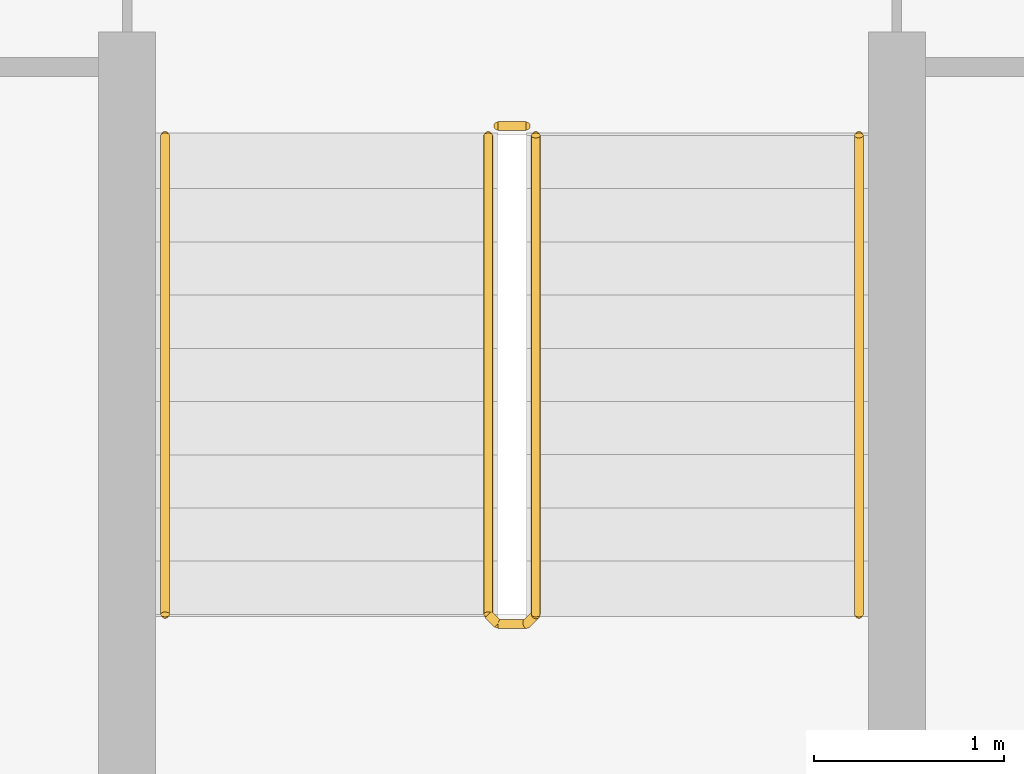
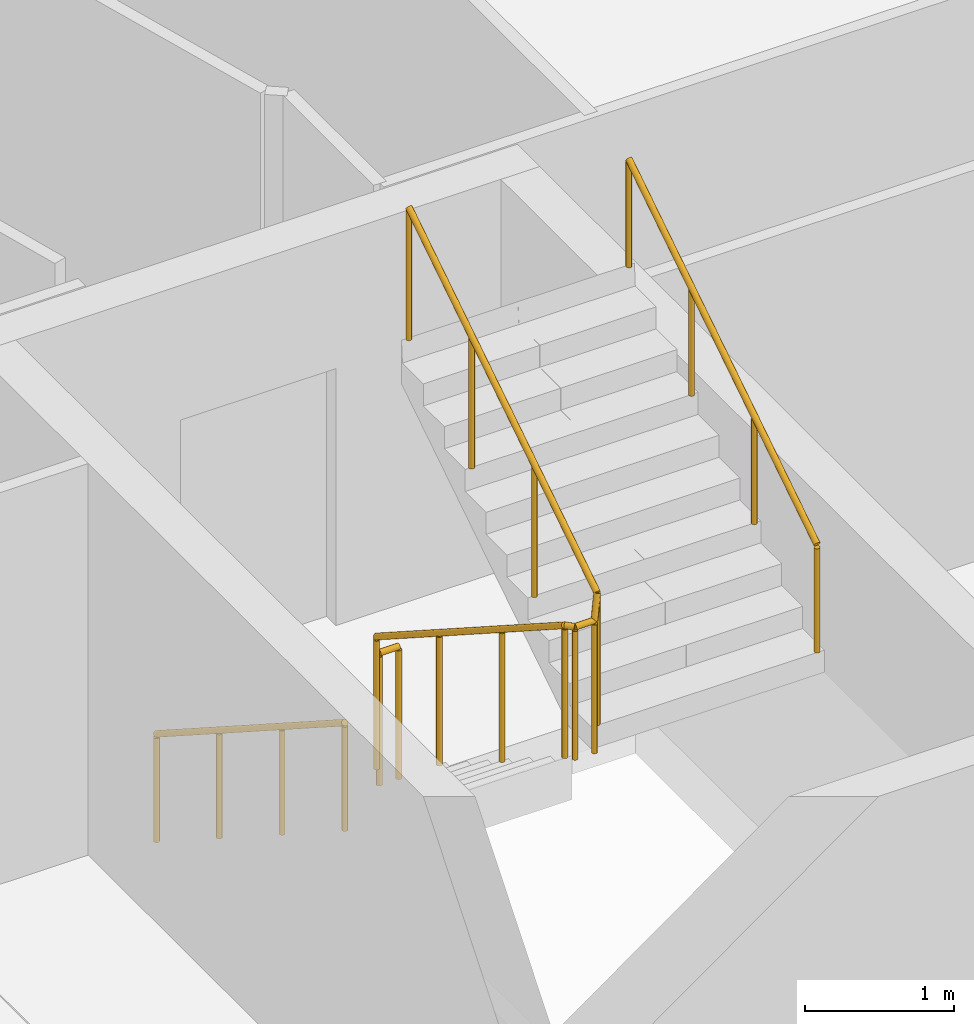
# One storey, part 26 of 28: 4 railings.
"""IFC4 building model written with IfcOpenShell, lengths in metres."""

from ifc_helpers import new_model, si_unit, direction, frame, origin, origin_2d, place, context, subcontext, project, spatial, circle, extrude, material, type_object, element, save


model = new_model("IFC4")

# Units and contexts
model_context = context("Model", 3, precision=1e-05, world=origin(), true_north=direction((0.0, 1.0)))
body_context = subcontext(model_context, "Body", "Model", "MODEL_VIEW")
ifc_project = project(units=[si_unit("LENGTHUNIT", "METRE"), si_unit("AREAUNIT", "SQUARE_METRE"), si_unit("VOLUMEUNIT", "CUBIC_METRE"), si_unit("PLANEANGLEUNIT", "RADIAN"), si_unit("MASSUNIT", "GRAM", prefix="KILO")], contexts=[model_context])

# Site, building, storey
site_placement = place(None, origin())
site = spatial("IfcSite", under=ifc_project, at=site_placement, CompositionType="ELEMENT")
building_placement = place(site_placement, origin())
building = spatial("IfcBuilding", under=site, at=building_placement, Name="Wharfspan Tower", CompositionType="ELEMENT")
storey_placement = place(building_placement, frame((0.0, 0.0, 52.300049)))
storey = spatial("IfcBuildingStorey", under=building, at=storey_placement, Name="L09", CompositionType="ELEMENT", Elevation=52.300049)

# Railings
ifc_material = material(Name="Steel S355J2", Category="steel")
railing_type_1 = type_object("IfcRailingType", Name="Stair guard 1100", PredefinedType="GUARDRAIL", material=ifc_material)
railing_1_placement = place(storey_placement, frame((39.258301, 3.760498, 0.179932)))
element("IfcRailing", 1, at=railing_1_placement, inside=storey, type_object=railing_type_1, Name="L09 ST4 stair guard 1", PredefinedType="GUARDRAIL", context=body_context, shape_type="SweptSolid", body=[
    extrude(circle(Radius=0.023926, at=origin_2d()), frame((0.0, 0.0, 1.076172), z_axis=(0.0, -0.841139, 0.540819), x_axis=(1.0, 0.0, 0.0)), (0.0, 0.0, 1.0), 2.995605),
    extrude(circle(Radius=0.023926, at=origin_2d()), frame((0.0, -2.519775, 2.696289), z_axis=(0.707107, -0.707107, 0.0), x_axis=(0.707107, 0.707107, 0.0)), (0.0, 0.0, 1.0), 0.070801),
    extrude(circle(Radius=0.023926, at=origin_2d()), frame((0.050049, -2.569824, 2.696289), z_axis=(1.0, 0.0, 0.0), x_axis=(0.0, 1.0, 0.0)), (0.0, 0.0, 1.0), 0.149902),
    extrude(circle(Radius=0.023926, at=origin_2d()), frame((0.199951, -2.569824, 2.696289), z_axis=(0.258848, 0.258848, 0.930589), x_axis=(-0.707107, 0.707107, 0.0)), (0.0, 0.0, 1.0), 0.193359),
    extrude(circle(Radius=0.023926, at=origin_2d()), frame((0.25, -2.519775, 2.875977), z_axis=(0.0, 0.841176, 0.540762), x_axis=(-1.0, 0.0, 0.0)), (0.0, 0.0, 1.0), 2.995605),
    extrude(circle(Radius=0.020996, at=origin_2d()), origin(), (0.0, 0.0, 1.0), 1.052002),
    extrude(circle(Radius=0.020996, at=origin_2d()), frame((0.0, -0.839844, 0.540039)), (0.0, 0.0, 1.0), 1.052002),
    extrude(circle(Radius=0.020996, at=origin_2d()), frame((0.0, -1.679932, 1.080078)), (0.0, 0.0, 1.0), 1.052002),
    extrude(circle(Radius=0.020996, at=origin_2d()), frame((0.0, -2.519775, 1.620117)), (0.0, 0.0, 1.0), 1.052002),
    extrude(circle(Radius=0.020996, at=origin_2d()), frame((0.050049, -2.569824, 1.620117)), (0.0, 0.0, 1.0), 1.052002),
    extrude(circle(Radius=0.020996, at=origin_2d()), frame((0.199951, -2.569824, 1.620117)), (0.0, 0.0, 1.0), 1.052002),
    extrude(circle(Radius=0.020996, at=origin_2d()), frame((0.25, -2.519775, 1.800049)), (0.0, 0.0, 1.0), 1.052002),
    extrude(circle(Radius=0.020996, at=origin_2d()), frame((0.25, -1.679932, 2.340088)), (0.0, 0.0, 1.0), 1.052002),
    extrude(circle(Radius=0.020996, at=origin_2d()), frame((0.25, -0.839844, 2.879883)), (0.0, 0.0, 1.0), 1.052002),
    extrude(circle(Radius=0.020996, at=origin_2d()), frame((0.25, 0.0, 3.419922)), (0.0, 0.0, 1.0), 1.052002),
])
railing_2_placement = place(storey_placement, frame((39.30835, 3.810547, 0.0)))
element("IfcRailing", 2, at=railing_2_placement, inside=storey, type_object=railing_type_1, Name="L09 ST4 stair guard 2", PredefinedType="GUARDRAIL", context=body_context, shape_type="SweptSolid", body=[
    extrude(circle(Radius=0.023926, at=origin_2d()), frame((0.0, 0.0, 1.076172), z_axis=(1.0, 0.0, 0.0), x_axis=(0.0, 1.0, 0.0)), (0.0, 0.0, 1.0), 0.149902),
    extrude(circle(Radius=0.020996, at=origin_2d()), origin(), (0.0, 0.0, 1.0), 1.052002),
    extrude(circle(Radius=0.020996, at=origin_2d()), frame((0.149902, 0.0, 0.0)), (0.0, 0.0, 1.0), 1.052002),
])
railing_type_2 = type_object("IfcRailingType", Name="Stair handrail 900", PredefinedType="HANDRAIL", material=ifc_material)
railing_3_placement = place(storey_placement, frame((37.55835, 3.760498, 0.179932)))
element("IfcRailing", 3, at=railing_3_placement, inside=storey, type_object=railing_type_2, Name="L09 ST4 stair handrail 1", PredefinedType="HANDRAIL", context=body_context, shape_type="SweptSolid", body=[
    extrude(circle(Radius=0.023926, at=origin_2d()), frame((0.0, 0.0, 0.875977), z_axis=(0.0, -0.841139, 0.540819), x_axis=(1.0, 0.0, 0.0)), (0.0, 0.0, 1.0), 2.995605),
    extrude(circle(Radius=0.020996, at=origin_2d()), origin(), (0.0, 0.0, 1.0), 0.851807),
    extrude(circle(Radius=0.020996, at=origin_2d()), frame((0.0, -0.839844, 0.540039)), (0.0, 0.0, 1.0), 0.851807),
    extrude(circle(Radius=0.020996, at=origin_2d()), frame((0.0, -1.679932, 1.080078)), (0.0, 0.0, 1.0), 0.851807),
    extrude(circle(Radius=0.020996, at=origin_2d()), frame((0.0, -2.519775, 1.620117)), (0.0, 0.0, 1.0), 0.851807),
])
railing_4_placement = place(storey_placement, frame((41.208252, 1.240723, 1.97998)))
element("IfcRailing", 4, at=railing_4_placement, inside=storey, type_object=railing_type_2, Name="L09 ST4 stair handrail 2", PredefinedType="HANDRAIL", context=body_context, shape_type="SweptSolid", body=[
    extrude(circle(Radius=0.023926, at=origin_2d()), frame((0.0, 0.0, 0.875977), z_axis=(0.0, 0.841176, 0.540762), x_axis=(-1.0, 0.0, 0.0)), (0.0, 0.0, 1.0), 2.995605),
    extrude(circle(Radius=0.020996, at=origin_2d()), origin(), (0.0, 0.0, 1.0), 0.851807),
    extrude(circle(Radius=0.020996, at=origin_2d()), frame((0.0, 0.839844, 0.540039)), (0.0, 0.0, 1.0), 0.851807),
    extrude(circle(Radius=0.020996, at=origin_2d()), frame((0.0, 1.679932, 1.079834)), (0.0, 0.0, 1.0), 0.851807),
    extrude(circle(Radius=0.020996, at=origin_2d()), frame((0.0, 2.519775, 1.619873)), (0.0, 0.0, 1.0), 0.851807),
])

save(model, "model.ifc")
